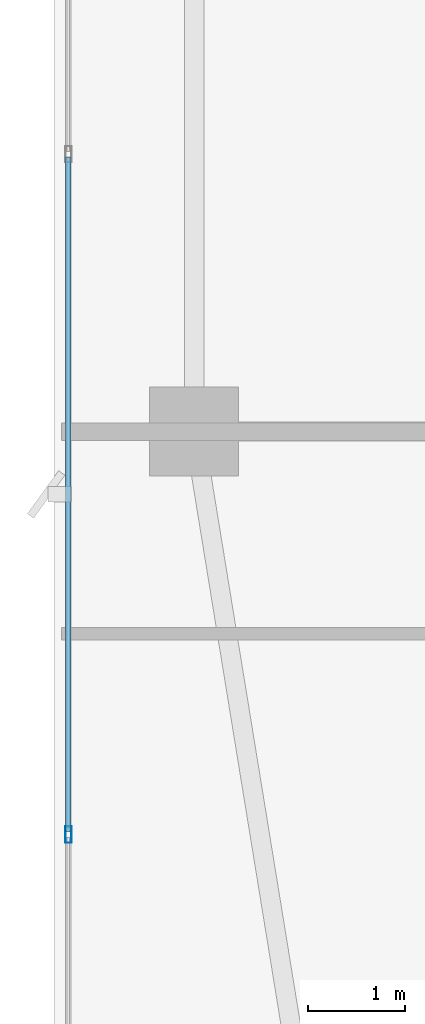
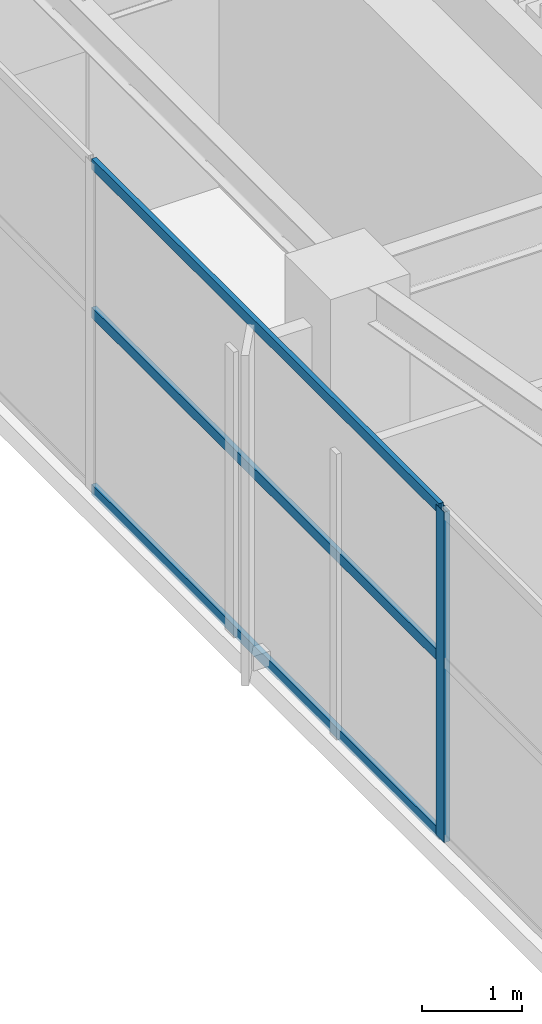
# One storey, part 4 of 26: 4 members, 1 element without a shape of its own.
"""IFC4 building model written with IfcOpenShell, lengths in metres."""

from ifc_helpers import new_model, si_unit, direction, frame, origin, origin_2d, place, context, subcontext, project, spatial, hollow_rectangle, extrude, material, layer, layer_set, material_profile, profile_set, type_object, element, aggregate, save


model = new_model("IFC4")

# Units and contexts
model_context = context("Model", 3, precision=1e-05, world=origin(), true_north=direction((0.0, 1.0)))
body_context = subcontext(model_context, "Body", "Model", "MODEL_VIEW")
ifc_project = project(units=[si_unit("LENGTHUNIT", "METRE"), si_unit("AREAUNIT", "SQUARE_METRE"), si_unit("VOLUMEUNIT", "CUBIC_METRE"), si_unit("PLANEANGLEUNIT", "RADIAN"), si_unit("MASSUNIT", "GRAM", prefix="KILO")], contexts=[model_context])

# Site, building, storey
site_placement = place(None, origin())
site = spatial("IfcSite", under=ifc_project, at=site_placement, CompositionType="ELEMENT")
building_placement = place(site_placement, origin())
building = spatial("IfcBuilding", under=site, at=building_placement, Name="Calvorn Quay Hotel", CompositionType="ELEMENT")
storey_placement = place(building_placement, frame((0.0, 0.0, 302.5)))
storey = spatial("IfcBuildingStorey", under=building, at=storey_placement, Name="L75", CompositionType="ELEMENT", Elevation=302.5)

# Curtain wall, members
ifc_material_1 = material(Name="Champagne Bronze Anodised Aluminium and Low-E Glass", Category="aluminium")
ifc_layer = layer(ifc_material_1, 0.219970703125)
ifc_layer_set = layer_set([ifc_layer], Name="CW-SYS-Z4")
curtain_wall_type = type_object("IfcCurtainWallType", Name="CW-SYS-Z4", PredefinedType="NOTDEFINED", material=ifc_layer_set)
curtain_wall_placement = place(storey_placement, origin())
curtain_wall = element("IfcCurtainWall", 1, at=curtain_wall_placement, inside=storey, type_object=curtain_wall_type, Name="Tower West Curtain Wall (L75)", PredefinedType="NOTDEFINED")
ifc_material_2 = material(Name="Champagne Bronze Anodised Aluminium 6063-T6", Category="aluminium")
ifc_material_profile_1 = material_profile(ifc_material_2, hollow_rectangle(XDim=0.06494140625, YDim=0.169921875, WallThickness=0.00341796875, at=origin_2d()), Name="ALU-M170x65x3.5")
ifc_profile_set_1 = profile_set([ifc_material_profile_1], Name="Champagne Bronze Anodised Aluminium 6063-T6")
member_type_1 = type_object("IfcMemberType", Name="CW-SYS-Z4-MUL", PredefinedType="MULLION", material=ifc_profile_set_1)
member_1_placement = place(storey_placement, frame((0.14990234375, 12.63330078125, 0.0), z_axis=(0.0, 0.0, 1.0), x_axis=(-1.0, 0.0, 0.0)))
member_1 = element("IfcMember", 2, at=member_1_placement, type_object=member_type_1, Name="CW-L75-W mullion 2", PredefinedType="MULLION", context=body_context, shape_type="SweptSolid", body=[
    extrude(hollow_rectangle(XDim=0.06494140625, YDim=0.169921875, WallThickness=0.00341796875, at=origin_2d()), origin(), (0.0, 0.0, 1.0), 4.050048828125),
])
ifc_material_3 = material(Name="Champagne Bronze Anodised Aluminium 6063-T6", Category="aluminium")
ifc_material_profile_2 = material_profile(ifc_material_3, hollow_rectangle(XDim=0.054931640625, YDim=0.1298828125, WallThickness=0.003173828125, at=origin_2d()), Name="ALU-T130x55x3.2")
ifc_profile_set_2 = profile_set([ifc_material_profile_2], Name="Champagne Bronze Anodised Aluminium 6063-T6")
member_type_2 = type_object("IfcMemberType", Name="CW-SYS-Z4-TRN", PredefinedType="USERDEFINED", material=ifc_profile_set_2)
member_2_placement = place(storey_placement, frame((0.14990234375, 12.663330078125, 0.030029296875), z_axis=(0.0, 1.0, 0.0), x_axis=(-1.0, 0.0, 0.0)))
member_2 = element("IfcMember", 3, at=member_2_placement, type_object=member_type_2, Name="CW-L75-W transom 2.1", ObjectType="TRANSOM", PredefinedType="USERDEFINED", context=body_context, shape_type="SweptSolid", body=[
    extrude(hollow_rectangle(XDim=0.054931640625, YDim=0.1298828125, WallThickness=0.003173828125, at=origin_2d()), origin(), (0.0, 0.0, 1.0), 6.973388671875),
])
member_3_placement = place(storey_placement, frame((0.14990234375, 12.663330078125, 2.199951171875), z_axis=(0.0, 1.0, 0.0), x_axis=(-1.0, 0.0, 0.0)))
member_3 = element("IfcMember", 4, at=member_3_placement, type_object=member_type_2, Name="CW-L75-W transom 2.2", ObjectType="TRANSOM", PredefinedType="USERDEFINED", context=body_context, shape_type="SweptSolid", body=[
    extrude(hollow_rectangle(XDim=0.054931640625, YDim=0.1298828125, WallThickness=0.003173828125, at=origin_2d()), origin(), (0.0, 0.0, 1.0), 6.973388671875),
])
member_4_placement = place(storey_placement, frame((0.14990234375, 12.663330078125, 4.02001953125), z_axis=(0.0, 1.0, 0.0), x_axis=(-1.0, 0.0, 0.0)))
member_4 = element("IfcMember", 5, at=member_4_placement, type_object=member_type_2, Name="CW-L75-W transom 2.3", ObjectType="TRANSOM", PredefinedType="USERDEFINED", context=body_context, shape_type="SweptSolid", body=[
    extrude(hollow_rectangle(XDim=0.054931640625, YDim=0.1298828125, WallThickness=0.003173828125, at=origin_2d()), origin(), (0.0, 0.0, 1.0), 6.973388671875),
])
aggregate(curtain_wall, [member_1, member_2, member_3, member_4])

save(model, "model.ifc")
